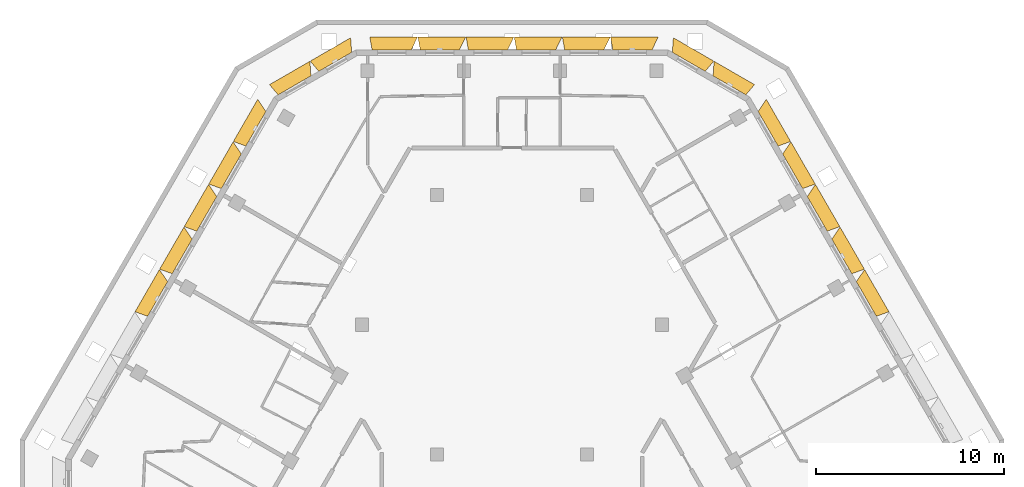
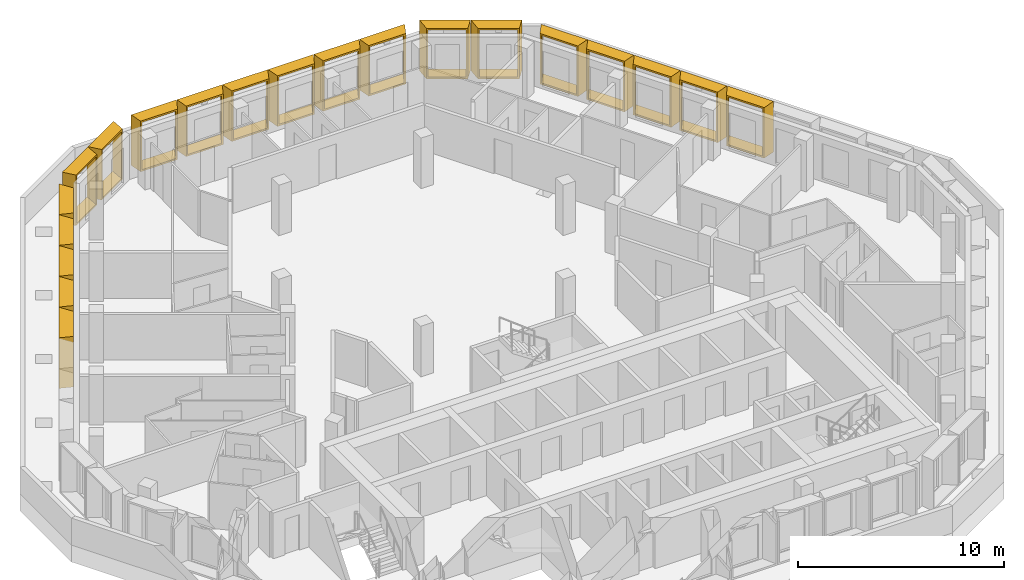
# One storey, part 15 of 15: 20 shading devices.
"""IFC4 building model written with IfcOpenShell, lengths in metres."""

from ifc_helpers import new_model, entity, si_unit, direction, frame, origin, place, context, subcontext, project, spatial, source, transform, mapped, material, type_object, type_shapes, element, save


model = new_model("IFC4")

# Units and contexts
model_context = context("Model", 3, precision=1e-05, world=origin(), true_north=direction((0.0, 1.0)))
body_context = subcontext(model_context, "Body", "Model", "MODEL_VIEW")
ifc_project = project(units=[si_unit("LENGTHUNIT", "METRE"), si_unit("AREAUNIT", "SQUARE_METRE"), si_unit("VOLUMEUNIT", "CUBIC_METRE"), si_unit("PLANEANGLEUNIT", "RADIAN"), si_unit("MASSUNIT", "GRAM", prefix="KILO")], contexts=[model_context])

# Site, building, storey
site_placement = place(None, origin())
site = spatial("IfcSite", under=ifc_project, at=site_placement, CompositionType="ELEMENT")
building_placement = place(site_placement, origin())
building = spatial("IfcBuilding", under=site, at=building_placement, Name="Beryl Residences", CompositionType="ELEMENT")
storey_placement = place(building_placement, frame((0.0, 0.0, 202.800048828125)))
storey = spatial("IfcBuildingStorey", under=building, at=storey_placement, Name="L62", CompositionType="ELEMENT", Elevation=202.800048828125)

# Shading devices
ifc_material_1 = material(Name="Aluminium pale anodised", Category="aluminium")
shading_device_type_1 = type_object("IfcShadingDeviceType", Name="FR250-70B OUTER SKIN frame 700 mm deep, splay 26/10 deg, 2500 x 3000 mm cell", PredefinedType="USERDEFINED", material=ifc_material_1)
cartesian_point_1 = entity("IfcCartesianPoint", [-1.007568359375, 0.0])
cartesian_point_2 = entity("IfcCartesianPoint", [-0.91845703125, 0.10009765625])
cartesian_point_3 = entity("IfcCartesianPoint", [-1.348876953125, 0.0])
cartesian_point_4 = entity("IfcCartesianPoint", [-1.260009765625, 0.10009765625])
shared_shape_1 = source(origin(), body_context, "Body", "SweptSolid", [
    entity("IfcExtrudedAreaSolidTapered", entity("IfcArbitraryProfileDefWithVoids", "AREA", None, entity("IfcPolyline", [cartesian_point_1, entity("IfcCartesianPoint", [1.007568359375, 0.0]), entity("IfcCartesianPoint", [1.007568359375, 3.0]), entity("IfcCartesianPoint", [-1.007568359375, 3.0]), cartesian_point_1]), [entity("IfcPolyline", [cartesian_point_2, entity("IfcCartesianPoint", [0.92626953125, 0.10009765625]), entity("IfcCartesianPoint", [0.92626953125, 2.89990234375]), entity("IfcCartesianPoint", [-0.91845703125, 2.89990234375]), cartesian_point_2])]), entity("IfcAxis2Placement3D", entity("IfcCartesianPoint", [0.0, 0.0, 0.0]), entity("IfcDirection", [0.0, 1.0, 0.0]), entity("IfcDirection", [-1.0, 0.0, 0.0])), entity("IfcDirection", [0.0, 0.0, 1.0]), 0.699951171875, entity("IfcArbitraryProfileDefWithVoids", "AREA", None, entity("IfcPolyline", [cartesian_point_3, entity("IfcCartesianPoint", [1.130859375, 0.0]), entity("IfcCartesianPoint", [1.130859375, 3.0]), entity("IfcCartesianPoint", [-1.348876953125, 3.0]), cartesian_point_3]), [entity("IfcPolyline", [cartesian_point_4, entity("IfcCartesianPoint", [1.0498046875, 0.10009765625]), entity("IfcCartesianPoint", [1.0498046875, 2.89990234375]), entity("IfcCartesianPoint", [-1.260009765625, 2.89990234375]), cartesian_point_4])])),
])
type_shapes(shading_device_type_1, [shared_shape_1])
for number, where, z_axis, x_axis, name in (
    (1, (-9.39599609375, 21.97509765625, 0.0), (0.0, 0.0, 1.0), (0.866025403784, 0.5, 0.0), "FR250-70B frame L62 N-NW 1"),
    (2, (-11.56103515625, 20.72509765625, 0.0), (0.0, 0.0, 1.0), (0.866025403784, 0.5, 0.0), "FR250-70B frame L62 N-NW 2"),
):
    element("IfcShadingDevice", number, at=place(storey_placement, frame(where, z_axis=z_axis, x_axis=x_axis)), inside=storey, type_object=shading_device_type_1, Name=name, ObjectType="OUTER SKIN", PredefinedType="USERDEFINED", context=body_context, shape_type="MappedRepresentation", body=[
        mapped(shared_shape_1, transform((0.0, 0.0, 0.0))),
    ])
ifc_material_2 = material(Name="Aluminium pale anodised", Category="aluminium")
shading_device_type_2 = type_object("IfcShadingDeviceType", Name="FR250-70C OUTER SKIN frame 700 mm deep, splay 10/26 deg, 2500 x 3000 mm cell", PredefinedType="USERDEFINED", material=ifc_material_2)
cartesian_point_5 = entity("IfcCartesianPoint", [-1.007568359375, 0.0])
cartesian_point_6 = entity("IfcCartesianPoint", [-0.92626953125, 0.10009765625])
cartesian_point_7 = entity("IfcCartesianPoint", [-1.130859375, 0.0])
cartesian_point_8 = entity("IfcCartesianPoint", [-1.0498046875, 0.10009765625])
shared_shape_2 = source(origin(), body_context, "Body", "SweptSolid", [
    entity("IfcExtrudedAreaSolidTapered", entity("IfcArbitraryProfileDefWithVoids", "AREA", None, entity("IfcPolyline", [cartesian_point_5, entity("IfcCartesianPoint", [1.007568359375, 0.0]), entity("IfcCartesianPoint", [1.007568359375, 3.0]), entity("IfcCartesianPoint", [-1.007568359375, 3.0]), cartesian_point_5]), [entity("IfcPolyline", [cartesian_point_6, entity("IfcCartesianPoint", [0.91845703125, 0.10009765625]), entity("IfcCartesianPoint", [0.91845703125, 2.89990234375]), entity("IfcCartesianPoint", [-0.92626953125, 2.89990234375]), cartesian_point_6])]), entity("IfcAxis2Placement3D", entity("IfcCartesianPoint", [0.0, 0.0, 0.0]), entity("IfcDirection", [0.0, 1.0, 0.0]), entity("IfcDirection", [-1.0, 0.0, 0.0])), entity("IfcDirection", [0.0, 0.0, 1.0]), 0.699951171875, entity("IfcArbitraryProfileDefWithVoids", "AREA", None, entity("IfcPolyline", [cartesian_point_7, entity("IfcCartesianPoint", [1.348876953125, 0.0]), entity("IfcCartesianPoint", [1.348876953125, 3.0]), entity("IfcCartesianPoint", [-1.130859375, 3.0]), cartesian_point_7]), [entity("IfcPolyline", [cartesian_point_8, entity("IfcCartesianPoint", [1.260009765625, 0.10009765625]), entity("IfcCartesianPoint", [1.260009765625, 2.89990234375]), entity("IfcCartesianPoint", [-1.0498046875, 2.89990234375]), cartesian_point_8])])),
])
type_shapes(shading_device_type_2, [shared_shape_2])
for number, where, z_axis, x_axis, name in (
    (3, (11.56103515625, 20.72509765625, 0.0), (0.0, 0.0, 1.0), (0.866025403784, -0.5, 0.0), "FR250-70C frame L62 NE-N 1"),
    (4, (9.39599609375, 21.97509765625, 0.0), (0.0, 0.0, 1.0), (0.866025403784, -0.5, 0.0), "FR250-70C frame L62 NE-N 2"),
):
    element("IfcShadingDevice", number, at=place(storey_placement, frame(where, z_axis=z_axis, x_axis=x_axis)), inside=storey, type_object=shading_device_type_2, Name=name, ObjectType="OUTER SKIN", PredefinedType="USERDEFINED", context=body_context, shape_type="MappedRepresentation", body=[
        mapped(shared_shape_2, transform((0.0, 0.0, 0.0))),
    ])
ifc_material_3 = material(Name="Aluminium pale anodised", Category="aluminium")
shading_device_type_3 = type_object("IfcShadingDeviceType", Name="FR256-70B OUTER SKIN frame 700 mm deep, splay 26/10 deg, 2560 x 3000 mm cell", PredefinedType="USERDEFINED", material=ifc_material_3)
cartesian_point_9 = entity("IfcCartesianPoint", [-1.03759765625, 0.0])
cartesian_point_10 = entity("IfcCartesianPoint", [-0.948486328125, 0.10009765625])
cartesian_point_11 = entity("IfcCartesianPoint", [-1.37890625, 0.0])
cartesian_point_12 = entity("IfcCartesianPoint", [-1.289794921875, 0.10009765625])
shared_shape_3 = source(origin(), body_context, "Body", "SweptSolid", [
    entity("IfcExtrudedAreaSolidTapered", entity("IfcArbitraryProfileDefWithVoids", "AREA", None, entity("IfcPolyline", [cartesian_point_9, entity("IfcCartesianPoint", [1.03759765625, 0.0]), entity("IfcCartesianPoint", [1.03759765625, 3.0]), entity("IfcCartesianPoint", [-1.03759765625, 3.0]), cartesian_point_9]), [entity("IfcPolyline", [cartesian_point_10, entity("IfcCartesianPoint", [0.956298828125, 0.10009765625]), entity("IfcCartesianPoint", [0.956298828125, 2.89990234375]), entity("IfcCartesianPoint", [-0.948486328125, 2.89990234375]), cartesian_point_10])]), entity("IfcAxis2Placement3D", entity("IfcCartesianPoint", [0.0, 0.0, 0.0]), entity("IfcDirection", [0.0, 1.0, 0.0]), entity("IfcDirection", [-1.0, 0.0, 0.0])), entity("IfcDirection", [0.0, 0.0, 1.0]), 0.699951171875, entity("IfcArbitraryProfileDefWithVoids", "AREA", None, entity("IfcPolyline", [cartesian_point_11, entity("IfcCartesianPoint", [1.160888671875, 0.0]), entity("IfcCartesianPoint", [1.160888671875, 3.0]), entity("IfcCartesianPoint", [-1.37890625, 3.0]), cartesian_point_11]), [entity("IfcPolyline", [cartesian_point_12, entity("IfcCartesianPoint", [1.07958984375, 0.10009765625]), entity("IfcCartesianPoint", [1.07958984375, 2.89990234375]), entity("IfcCartesianPoint", [-1.289794921875, 2.89990234375]), cartesian_point_12])])),
])
type_shapes(shading_device_type_3, [shared_shape_3])
for number, where, z_axis, x_axis, name in (
    (5, (6.39892578125, 22.60009765625, 0.0), (0.0, 0.0, 1.0), (1.0, 0.0, 0.0), "FR256-70B frame L62 N 1"),
    (6, (3.840087890625, 22.60009765625, 0.0), (0.0, 0.0, 1.0), (1.0, 0.0, 0.0), "FR256-70B frame L62 N 2"),
    (7, (1.280029296875, 22.60009765625, 0.0), (0.0, 0.0, 1.0), (1.0, 0.0, 0.0), "FR256-70B frame L62 N 3"),
    (8, (-1.279052734375, 22.60009765625, 0.0), (0.0, 0.0, 1.0), (1.0, 0.0, 0.0), "FR256-70B frame L62 N 4"),
    (9, (-3.839111328125, 22.60009765625, 0.0), (0.0, 0.0, 1.0), (1.0, 0.0, 0.0), "FR256-70B frame L62 N 5"),
    (10, (-6.39794921875, 22.60009765625, 0.0), (0.0, 0.0, 1.0), (1.0, 0.0, 0.0), "FR256-70B frame L62 N 6"),
):
    element("IfcShadingDevice", number, at=place(storey_placement, frame(where, z_axis=z_axis, x_axis=x_axis)), inside=storey, type_object=shading_device_type_3, Name=name, ObjectType="OUTER SKIN", PredefinedType="USERDEFINED", context=body_context, shape_type="MappedRepresentation", body=[
        mapped(shared_shape_3, transform((0.0, 0.0, 0.0))),
    ])
ifc_material_4 = material(Name="Aluminium pale anodised", Category="aluminium")
shading_device_type_4 = type_object("IfcShadingDeviceType", Name="FR261-70B OUTER SKIN frame 700 mm deep, splay 26/10 deg, 2610 x 3000 mm cell", PredefinedType="USERDEFINED", material=ifc_material_4)
cartesian_point_13 = entity("IfcCartesianPoint", [-1.0625, 0.0])
cartesian_point_14 = entity("IfcCartesianPoint", [-0.973388671875, 0.10009765625])
cartesian_point_15 = entity("IfcCartesianPoint", [-1.40380859375, 0.0])
cartesian_point_16 = entity("IfcCartesianPoint", [-1.31494140625, 0.10009765625])
shared_shape_4 = source(origin(), body_context, "Body", "SweptSolid", [
    entity("IfcExtrudedAreaSolidTapered", entity("IfcArbitraryProfileDefWithVoids", "AREA", None, entity("IfcPolyline", [cartesian_point_13, entity("IfcCartesianPoint", [1.0625, 0.0]), entity("IfcCartesianPoint", [1.0625, 3.0]), entity("IfcCartesianPoint", [-1.0625, 3.0]), cartesian_point_13]), [entity("IfcPolyline", [cartesian_point_14, entity("IfcCartesianPoint", [0.981201171875, 0.10009765625]), entity("IfcCartesianPoint", [0.981201171875, 2.89990234375]), entity("IfcCartesianPoint", [-0.973388671875, 2.89990234375]), cartesian_point_14])]), entity("IfcAxis2Placement3D", entity("IfcCartesianPoint", [0.0, 0.0, 0.0]), entity("IfcDirection", [0.0, 1.0, 0.0]), entity("IfcDirection", [-1.0, 0.0, 0.0])), entity("IfcDirection", [0.0, 0.0, 1.0]), 0.699951171875, entity("IfcArbitraryProfileDefWithVoids", "AREA", None, entity("IfcPolyline", [cartesian_point_15, entity("IfcCartesianPoint", [1.18603515625, 0.0]), entity("IfcCartesianPoint", [1.18603515625, 3.0]), entity("IfcCartesianPoint", [-1.40380859375, 3.0]), cartesian_point_15]), [entity("IfcPolyline", [cartesian_point_16, entity("IfcCartesianPoint", [1.104736328125, 0.10009765625]), entity("IfcCartesianPoint", [1.104736328125, 2.89990234375]), entity("IfcCartesianPoint", [-1.31494140625, 2.89990234375]), cartesian_point_16])])),
])
type_shapes(shading_device_type_4, [shared_shape_4])
for number, where, z_axis, x_axis, name in (
    (11, (-13.614013671875, 18.4189453125, 0.0), (0.0, 0.0, 1.0), (0.5, 0.866025403784, 0.0), "FR261-70B frame L62 NW 1"),
    (12, (-14.9208984375, 16.156005859375, 0.0), (0.0, 0.0, 1.0), (0.5, 0.866025403784, 0.0), "FR261-70B frame L62 NW 2"),
    (13, (-16.22705078125, 13.89404296875, 0.0), (0.0, 0.0, 1.0), (0.5, 0.866025403784, 0.0), "FR261-70B frame L62 NW 3"),
    (14, (-17.532958984375, 11.631103515625, 0.0), (0.0, 0.0, 1.0), (0.5, 0.866025403784, 0.0), "FR261-70B frame L62 NW 4"),
    (15, (-18.839111328125, 9.368896484375, 0.0), (0.0, 0.0, 1.0), (0.5, 0.866025403784, 0.0), "FR261-70B frame L62 NW 5"),
):
    element("IfcShadingDevice", number, at=place(storey_placement, frame(where, z_axis=z_axis, x_axis=x_axis)), inside=storey, type_object=shading_device_type_4, Name=name, ObjectType="OUTER SKIN", PredefinedType="USERDEFINED", context=body_context, shape_type="MappedRepresentation", body=[
        mapped(shared_shape_4, transform((0.0, 0.0, 0.0))),
    ])
ifc_material_5 = material(Name="Aluminium pale anodised", Category="aluminium")
shading_device_type_5 = type_object("IfcShadingDeviceType", Name="FR261-70C OUTER SKIN frame 700 mm deep, splay 10/26 deg, 2610 x 3000 mm cell", PredefinedType="USERDEFINED", material=ifc_material_5)
cartesian_point_17 = entity("IfcCartesianPoint", [-1.0625, 0.0])
cartesian_point_18 = entity("IfcCartesianPoint", [-0.981201171875, 0.10009765625])
cartesian_point_19 = entity("IfcCartesianPoint", [-1.18603515625, 0.0])
cartesian_point_20 = entity("IfcCartesianPoint", [-1.104736328125, 0.10009765625])
shared_shape_5 = source(origin(), body_context, "Body", "SweptSolid", [
    entity("IfcExtrudedAreaSolidTapered", entity("IfcArbitraryProfileDefWithVoids", "AREA", None, entity("IfcPolyline", [cartesian_point_17, entity("IfcCartesianPoint", [1.0625, 0.0]), entity("IfcCartesianPoint", [1.0625, 3.0]), entity("IfcCartesianPoint", [-1.0625, 3.0]), cartesian_point_17]), [entity("IfcPolyline", [cartesian_point_18, entity("IfcCartesianPoint", [0.973388671875, 0.10009765625]), entity("IfcCartesianPoint", [0.973388671875, 2.89990234375]), entity("IfcCartesianPoint", [-0.981201171875, 2.89990234375]), cartesian_point_18])]), entity("IfcAxis2Placement3D", entity("IfcCartesianPoint", [0.0, 0.0, 0.0]), entity("IfcDirection", [0.0, 1.0, 0.0]), entity("IfcDirection", [-1.0, 0.0, 0.0])), entity("IfcDirection", [0.0, 0.0, 1.0]), 0.699951171875, entity("IfcArbitraryProfileDefWithVoids", "AREA", None, entity("IfcPolyline", [cartesian_point_19, entity("IfcCartesianPoint", [1.40380859375, 0.0]), entity("IfcCartesianPoint", [1.40380859375, 3.0]), entity("IfcCartesianPoint", [-1.18603515625, 3.0]), cartesian_point_19]), [entity("IfcPolyline", [cartesian_point_20, entity("IfcCartesianPoint", [1.31494140625, 0.10009765625]), entity("IfcCartesianPoint", [1.31494140625, 2.89990234375]), entity("IfcCartesianPoint", [-1.104736328125, 2.89990234375]), cartesian_point_20])])),
])
type_shapes(shading_device_type_5, [shared_shape_5])
for number, where, z_axis, x_axis, name in (
    (16, (18.839111328125, 9.368896484375, 0.0), (0.0, 0.0, 1.0), (0.5, -0.866025403784, 0.0), "FR261-70C frame L62 NE 4"),
    (17, (17.532958984375, 11.631103515625, 0.0), (0.0, 0.0, 1.0), (0.5, -0.866025403784, 0.0), "FR261-70C frame L62 NE 5"),
    (18, (16.22705078125, 13.89404296875, 0.0), (0.0, 0.0, 1.0), (0.5, -0.866025403784, 0.0), "FR261-70C frame L62 NE 6"),
    (19, (14.9208984375, 16.156005859375, 0.0), (0.0, 0.0, 1.0), (0.5, -0.866025403784, 0.0), "FR261-70C frame L62 NE 7"),
    (20, (13.614013671875, 18.4189453125, 0.0), (0.0, 0.0, 1.0), (0.5, -0.866025403784, 0.0), "FR261-70C frame L62 NE 8"),
):
    element("IfcShadingDevice", number, at=place(storey_placement, frame(where, z_axis=z_axis, x_axis=x_axis)), inside=storey, type_object=shading_device_type_5, Name=name, ObjectType="OUTER SKIN", PredefinedType="USERDEFINED", context=body_context, shape_type="MappedRepresentation", body=[
        mapped(shared_shape_5, transform((0.0, 0.0, 0.0))),
    ])

save(model, "model.ifc")
